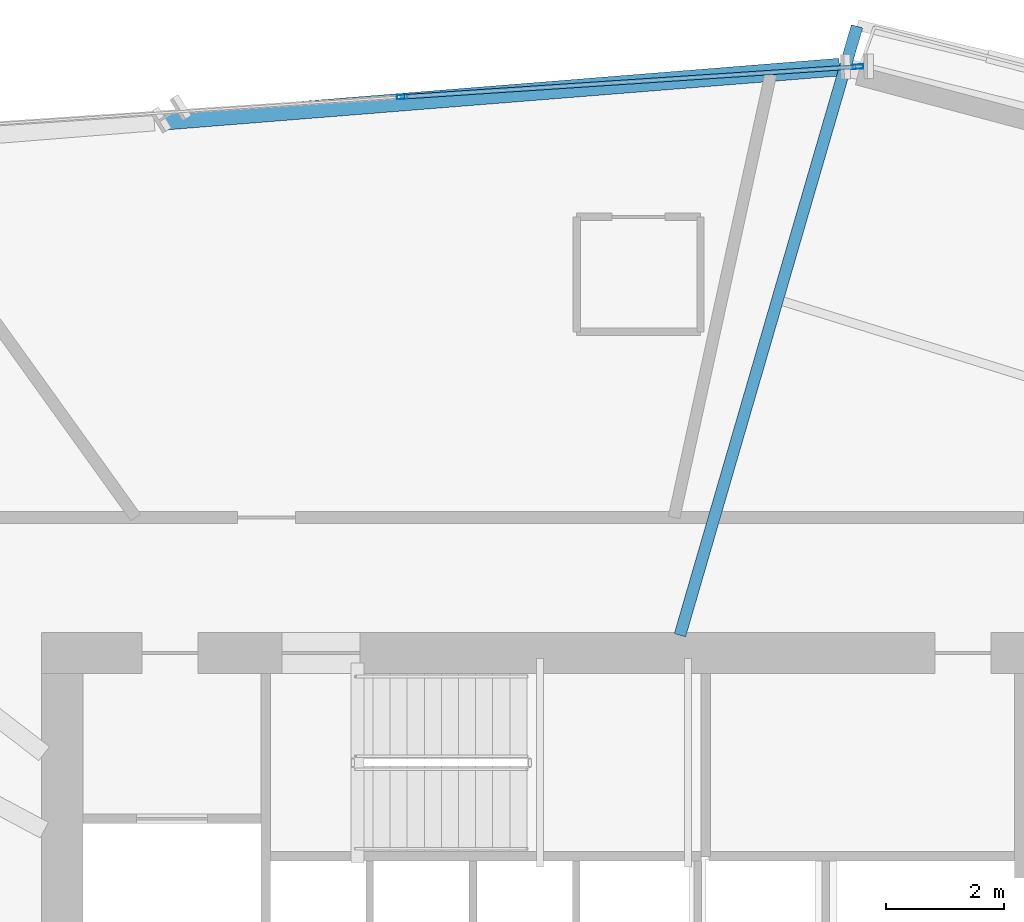
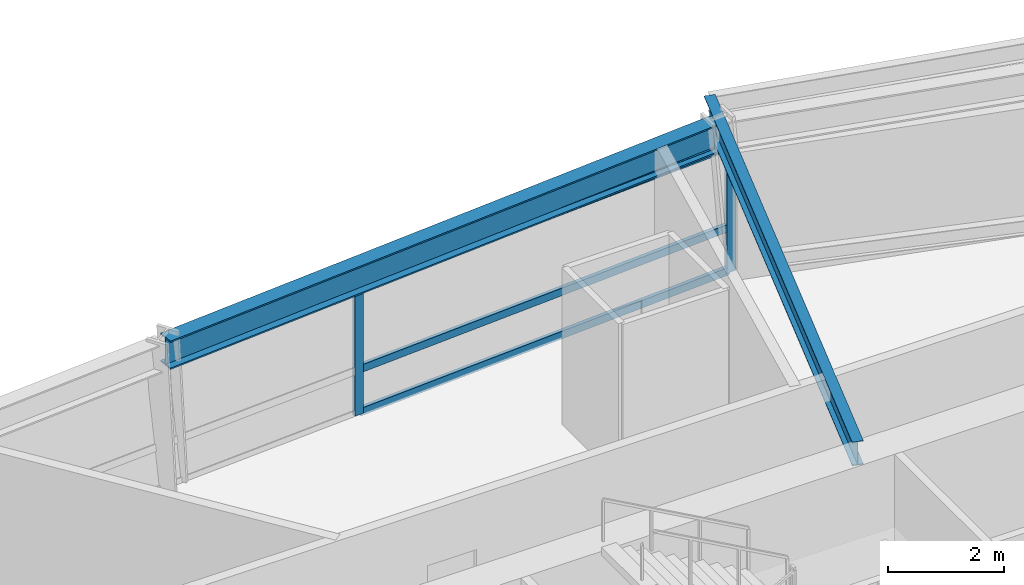
# One storey, part 8 of 21: 5 members, 2 beams, 1 element without a shape of its own.
"""IFC4 building model written with IfcOpenShell, lengths in metres."""

from ifc_helpers import new_model, si_unit, direction, frame, origin, origin_2d, place, context, subcontext, project, spatial, hollow_rectangle, i_section, extrude, source, transform, mapped, material, material_profile, profile_set, type_object, element, aggregate, save


model = new_model("IFC4")

# Units and contexts
model_context = context("Model", 3, precision=1e-05, world=origin(), true_north=direction((0.0, 1.0)))
body_context = subcontext(model_context, "Body", "Model", "MODEL_VIEW")
ifc_project = project(units=[si_unit("LENGTHUNIT", "METRE"), si_unit("AREAUNIT", "SQUARE_METRE"), si_unit("VOLUMEUNIT", "CUBIC_METRE"), si_unit("PLANEANGLEUNIT", "RADIAN"), si_unit("MASSUNIT", "GRAM", prefix="KILO")], contexts=[model_context])

# Site, building, storey
site_placement = place(None, origin())
site = spatial("IfcSite", under=ifc_project, at=site_placement, CompositionType="ELEMENT")
building_placement = place(site_placement, origin())
building = spatial("IfcBuilding", under=site, at=building_placement, Name="Olszyna Solenne Hotel", CompositionType="ELEMENT")
storey_placement = place(building_placement, frame((0.0, 0.0, 109.25)))
storey = spatial("IfcBuildingStorey", under=building, at=storey_placement, Name="L28", CompositionType="ELEMENT", Elevation=109.25)

# Beams
ifc_material_1 = material(Name="Steel S355J2", Category="steel")
ifc_material_profile_1 = material_profile(ifc_material_1, i_section(OverallWidth=0.300048828125, OverallDepth=0.60009765625, WebThickness=0.015380859375, FlangeThickness=0.030029296875, at=origin_2d()), Name="HEB 600", Category="load-bearing")
ifc_profile_set_1 = profile_set([ifc_material_profile_1], Name="Steel S355J2")
beam_type_1 = type_object("IfcBeamType", Name="BM-S2", PredefinedType="BEAM", material=ifc_profile_set_1)
shared_shape_1 = source(origin(), body_context, "Body", "SweptSolid", [
    extrude(i_section(OverallWidth=0.300048828125, OverallDepth=0.60009765625, WebThickness=0.015380859375, FlangeThickness=0.030029296875, at=origin_2d()), origin(), (0.0, 0.0, 1.0), 11.541015625),
])
beam_1_placement = place(storey_placement, frame((42.9326171875, 43.988037109375, 3.0), z_axis=(-0.996802957591, -0.079899084714, 0.0), x_axis=(0.079899084714, -0.996802957591, 0.0)))
element("IfcBeam", 1, at=beam_1_placement, inside=storey, type_object=beam_type_1, Name="Perimeter spandrel beam BM-S2 B-L28-0841", PredefinedType="BEAM", context=body_context, shape_type="MappedRepresentation", body=[
    mapped(shared_shape_1, transform((0.0, 0.0, 0.0), x_axis=(1.0, 0.0, 0.0), y_axis=(0.0, 1.0, 0.0), z_axis=(0.0, 0.0, 1.0), scale=1.0)),
])
ifc_material_profile_2 = material_profile(ifc_material_1, i_section(OverallWidth=0.199951171875, OverallDepth=0.5, WebThickness=0.01025390625, FlangeThickness=0.01611328125, at=origin_2d()), Name="IPE 500", Category="load-bearing")
ifc_profile_set_2 = profile_set([ifc_material_profile_2], Name="Steel S355J2")
beam_type_2 = type_object("IfcBeamType", Name="BM-F3", PredefinedType="BEAM", material=ifc_profile_set_2)
shared_shape_2 = source(origin(), body_context, "Body", "SweptSolid", [
    extrude(i_section(OverallWidth=0.199951171875, OverallDepth=0.5, WebThickness=0.01025390625, FlangeThickness=0.01611328125, at=origin_2d()), origin(), (0.0, 0.0, 1.0), 10.755859375),
])
beam_2_placement = place(storey_placement, frame((43.22900390625, 44.6796875, 3.050048828125), z_axis=(-0.279280836851, -0.960209463694, 0.0), x_axis=(0.960209463694, -0.279280836851, 0.0)))
element("IfcBeam", 2, at=beam_2_placement, inside=storey, type_object=beam_type_2, Name="Radial floor girder BM-F3 B-L28-0853", PredefinedType="BEAM", context=body_context, shape_type="MappedRepresentation", body=[
    mapped(shared_shape_2, transform((0.0, 0.0, 0.0), x_axis=(1.0, 0.0, 0.0), y_axis=(0.0, 1.0, 0.0), z_axis=(0.0, 0.0, 1.0), scale=1.0)),
])

# Curtain wall, members
ifc_material_2 = material(Name="Anodised bronze aluminium", Category="aluminium")
curtain_wall_type = type_object("IfcCurtainWallType", Name="CW-SYS-3", PredefinedType="NOTDEFINED", material=ifc_material_2)
curtain_wall_placement = place(storey_placement, origin())
curtain_wall = element("IfcCurtainWall", 3, at=curtain_wall_placement, inside=storey, type_object=curtain_wall_type, Name="Unitised curtain wall CW-SYS-3 CW-L28-02", PredefinedType="NOTDEFINED")
ifc_material_profile_3 = material_profile(ifc_material_2, hollow_rectangle(XDim=0.074951171875, YDim=0.179931640625, WallThickness=0.00439453125, at=origin_2d()), Name="MULL 180x75x4.5", Category="load-bearing")
ifc_profile_set_3 = profile_set([ifc_material_profile_3], Name="Anodised bronze aluminium")
member_type_1 = type_object("IfcMemberType", Name="CW-M2", PredefinedType="MULLION", material=ifc_profile_set_3)
shared_shape_3 = source(origin(), body_context, "Body", "SweptSolid", [
    extrude(hollow_rectangle(XDim=0.074951171875, YDim=0.179931640625, WallThickness=0.00439453125, at=origin_2d()), origin(), (0.0, 0.0, 1.0), 2.69189453125),
])
member_1_placement = place(storey_placement, frame((35.514892578125, 43.481689453125, 0.0), z_axis=(0.0, 0.0, 1.0), x_axis=(-0.06620041164, 0.997806346692, 0.0)))
member_1 = element("IfcMember", 4, at=member_1_placement, type_object=member_type_1, Name="Curtain-wall mullion CW-M2 CM-L28-02-03", PredefinedType="MULLION", context=body_context, shape_type="MappedRepresentation", body=[
    mapped(shared_shape_3, transform((0.0, 0.0, 0.0), x_axis=(1.0, 0.0, 0.0), y_axis=(0.0, 1.0, 0.0), z_axis=(0.0, 0.0, 1.0), scale=1.0)),
])
member_2_placement = place(storey_placement, frame((43.244873046875, 43.99462890625, 0.0), z_axis=(0.0, 0.0, 1.0), x_axis=(-0.06620041164, 0.997806346692, 0.0)))
member_2 = element("IfcMember", 5, at=member_2_placement, type_object=member_type_1, Name="Curtain-wall mullion CW-M2 CM-L28-02-04", PredefinedType="MULLION", context=body_context, shape_type="MappedRepresentation", body=[
    mapped(shared_shape_3, transform((0.0, 0.0, 0.0), x_axis=(1.0, 0.0, 0.0), y_axis=(0.0, 1.0, 0.0), z_axis=(0.0, 0.0, 1.0), scale=1.0)),
])
ifc_material_profile_4 = material_profile(ifc_material_2, hollow_rectangle(XDim=0.074951171875, YDim=0.159912109375, WallThickness=0.00390625, at=origin_2d()), Name="TRAN 160x75x4", Category="load-bearing")
ifc_profile_set_4 = profile_set([ifc_material_profile_4], Name="Anodised bronze aluminium")
member_type_2 = type_object("IfcMemberType", Name="CW-T1", PredefinedType="USERDEFINED", material=ifc_profile_set_4)
shared_shape_4 = source(origin(), body_context, "Body", "SweptSolid", [
    extrude(hollow_rectangle(XDim=0.074951171875, YDim=0.159912109375, WallThickness=0.00390625, at=origin_2d()), origin(), (0.0, 0.0, 1.0), 7.672119140625),
])
member_3_placement = place(storey_placement, frame((35.55224609375, 43.484130859375, 0.03759765625), z_axis=(0.997804966851, 0.066221206022, 0.0), x_axis=(-0.066221206022, 0.997804966851, 0.0)))
member_3 = element("IfcMember", 6, at=member_3_placement, type_object=member_type_2, Name="Curtain-wall transom CW-T1 CT-L28-02-07", ObjectType="TRANSOM", PredefinedType="USERDEFINED", context=body_context, shape_type="MappedRepresentation", body=[
    mapped(shared_shape_4, transform((0.0, 0.0, 0.0), x_axis=(1.0, 0.0, 0.0), y_axis=(0.0, 1.0, 0.0), z_axis=(0.0, 0.0, 1.0), scale=1.0)),
])
member_4_placement = place(storey_placement, frame((35.55224609375, 43.484130859375, 0.949951171875), z_axis=(0.997804966851, 0.066221206022, 0.0), x_axis=(-0.066221206022, 0.997804966851, 0.0)))
member_4 = element("IfcMember", 7, at=member_4_placement, type_object=member_type_2, Name="Curtain-wall transom CW-T1 CT-L28-02-08", ObjectType="TRANSOM", PredefinedType="USERDEFINED", context=body_context, shape_type="MappedRepresentation", body=[
    mapped(shared_shape_4, transform((0.0, 0.0, 0.0), x_axis=(1.0, 0.0, 0.0), y_axis=(0.0, 1.0, 0.0), z_axis=(0.0, 0.0, 1.0), scale=1.0)),
])
member_5_placement = place(storey_placement, frame((35.55224609375, 43.484130859375, 2.654541015625), z_axis=(0.997804966851, 0.066221206022, 0.0), x_axis=(-0.066221206022, 0.997804966851, 0.0)))
member_5 = element("IfcMember", 8, at=member_5_placement, type_object=member_type_2, Name="Curtain-wall transom CW-T1 CT-L28-02-09", ObjectType="TRANSOM", PredefinedType="USERDEFINED", context=body_context, shape_type="MappedRepresentation", body=[
    mapped(shared_shape_4, transform((0.0, 0.0, 0.0), x_axis=(1.0, 0.0, 0.0), y_axis=(0.0, 1.0, 0.0), z_axis=(0.0, 0.0, 1.0), scale=1.0)),
])
aggregate(curtain_wall, [member_1, member_2, member_3, member_4, member_5])

save(model, "model.ifc")
